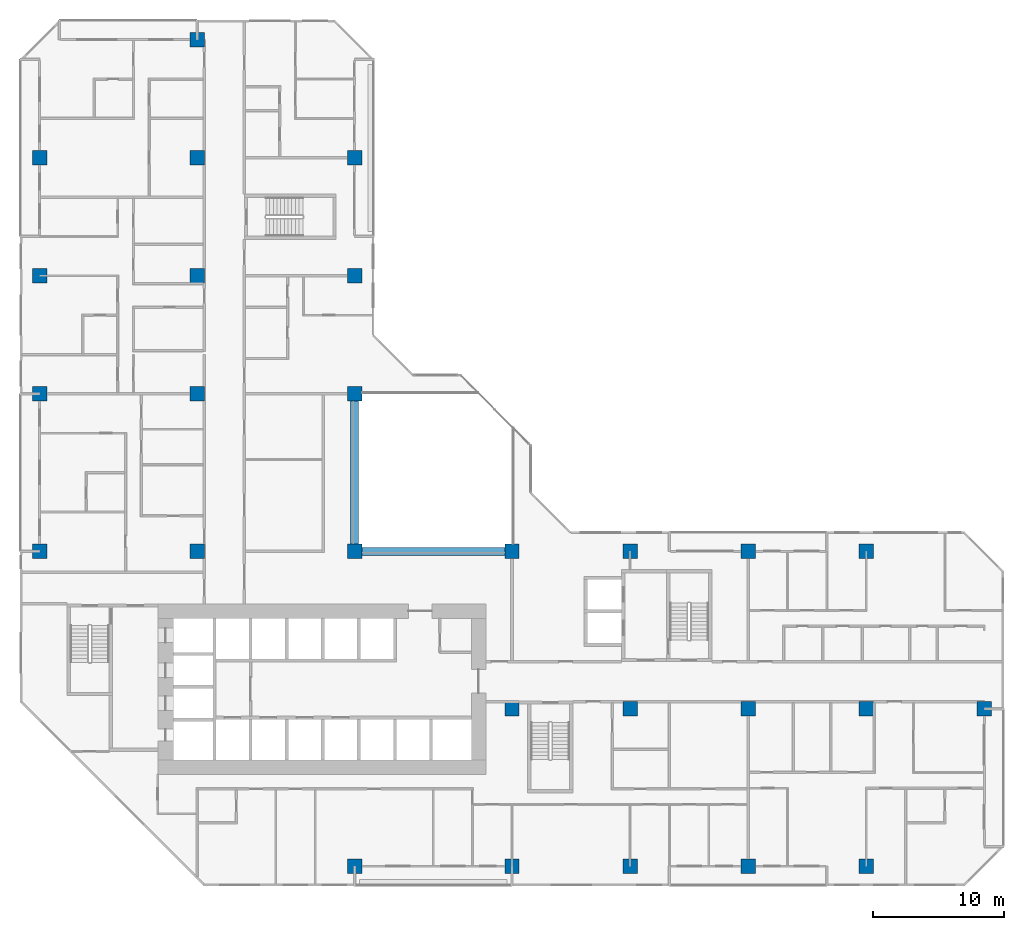
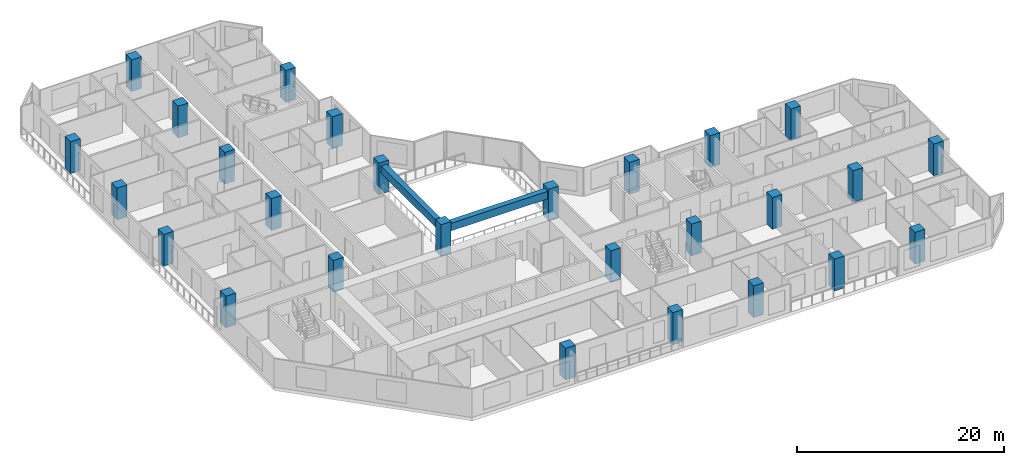
# One storey, part 1 of 15: 27 columns, 2 beams.
"""IFC4 building model written with IfcOpenShell, lengths in metres."""

from ifc_helpers import new_model, si_unit, direction, frame, origin, origin_2d, place, context, subcontext, project, spatial, rectangle, extrude, material, material_profile, profile_set, type_object, element, save


model = new_model("IFC4")

# Units and contexts
model_context = context("Model", 3, precision=1e-05, world=origin(), true_north=direction((0.0, 1.0)))
body_context = subcontext(model_context, "Body", "Model", "MODEL_VIEW")
ifc_project = project(units=[si_unit("LENGTHUNIT", "METRE"), si_unit("AREAUNIT", "SQUARE_METRE"), si_unit("VOLUMEUNIT", "CUBIC_METRE"), si_unit("PLANEANGLEUNIT", "RADIAN"), si_unit("MASSUNIT", "GRAM", prefix="KILO")], contexts=[model_context])

# Site, building, storey
site_placement = place(None, origin())
site = spatial("IfcSite", under=ifc_project, at=site_placement, CompositionType="ELEMENT")
building_placement = place(site_placement, origin())
building = spatial("IfcBuilding", under=site, at=building_placement, Name="Chenar Terraces", CompositionType="ELEMENT")
storey_placement = place(building_placement, frame((0.0, 0.0, 52.64990234375)))
storey = spatial("IfcBuildingStorey", under=building, at=storey_placement, Name="L10", CompositionType="ELEMENT", Elevation=52.64990234375)

# Columns
ifc_material_1 = material(Name="Concrete C70/85", Category="concrete")
ifc_material_profile_1 = material_profile(ifc_material_1, rectangle(XDim=1.10009765625, YDim=1.10009765625, at=origin_2d()), Name="C 1100 x 1100")
ifc_profile_set_1 = profile_set([ifc_material_profile_1], Name="Concrete C70/85")
column_type = type_object("IfcColumnType", Name="Column C 1100 x 1100 Concrete C70/85", PredefinedType="COLUMN", material=ifc_profile_set_1)
column_1_placement = place(storey_placement, frame((0.0, 24.0, 0.0), z_axis=(0.0, 0.0, 1.0), x_axis=(1.0, 0.0, 0.0)))
element("IfcColumn", 1, at=column_1_placement, inside=storey, type_object=column_type, Name="Column 5/G L10", PredefinedType="COLUMN", context=body_context, shape_type="SweptSolid", body=[
    extrude(rectangle(XDim=1.10009765625, YDim=1.10009765625, at=origin_2d()), origin(), (0.0, 0.0, 1.0), 3.75),
])
column_2_placement = place(storey_placement, frame((0.0, 36.0, 0.0), z_axis=(0.0, 0.0, 1.0), x_axis=(1.0, 0.0, 0.0)))
element("IfcColumn", 2, at=column_2_placement, inside=storey, type_object=column_type, Name="Column 5/H L10", PredefinedType="COLUMN", context=body_context, shape_type="SweptSolid", body=[
    extrude(rectangle(XDim=1.10009765625, YDim=1.10009765625, at=origin_2d()), origin(), (0.0, 0.0, 1.0), 3.75),
])
column_3_placement = place(storey_placement, frame((0.0, 45.0, 0.0), z_axis=(0.0, 0.0, 1.0), x_axis=(1.0, 0.0, 0.0)))
element("IfcColumn", 3, at=column_3_placement, inside=storey, type_object=column_type, Name="Column 5/J L10", PredefinedType="COLUMN", context=body_context, shape_type="SweptSolid", body=[
    extrude(rectangle(XDim=1.10009765625, YDim=1.10009765625, at=origin_2d()), origin(), (0.0, 0.0, 1.0), 3.75),
])
for number, where, z_axis, x_axis, name in (
    (4, (0.0, 54.0, 0.0), (0.0, 0.0, 1.0), (1.0, 0.0, 0.0), "Column 5/K L10"),
    (5, (12.0, 24.0, 0.0), (0.0, 0.0, 1.0), (1.0, 0.0, 0.0), "Column 6/G L10"),
    (6, (12.0, 36.0, 0.0), (0.0, 0.0, 1.0), (1.0, 0.0, 0.0), "Column 6/H L10"),
    (7, (12.0, 45.0, 0.0), (0.0, 0.0, 1.0), (1.0, 0.0, 0.0), "Column 6/J L10"),
    (8, (12.0, 54.0, 0.0), (0.0, 0.0, 1.0), (1.0, 0.0, 0.0), "Column 6/K L10"),
    (9, (12.0, 63.0, 0.0), (0.0, 0.0, 1.0), (1.0, 0.0, 0.0), "Column 6/L L10"),
    (10, (24.0, 0.0, 0.0), (0.0, 0.0, 1.0), (1.0, 0.0, 0.0), "Column 7/E L10"),
    (11, (24.0, 24.0, 0.0), (0.0, 0.0, 1.0), (1.0, 0.0, 0.0), "Column 7/G L10"),
    (12, (24.0, 36.0, 0.0), (0.0, 0.0, 1.0), (1.0, 0.0, 0.0), "Column 7/H L10"),
    (13, (24.0, 45.0, 0.0), (0.0, 0.0, 1.0), (1.0, 0.0, 0.0), "Column 7/J L10"),
    (14, (24.0, 54.0, 0.0), (0.0, 0.0, 1.0), (1.0, 0.0, 0.0), "Column 7/K L10"),
    (15, (36.0, 0.0, 0.0), (0.0, 0.0, 1.0), (1.0, 0.0, 0.0), "Column 8/E L10"),
    (16, (36.0, 12.0, 0.0), (0.0, 0.0, 1.0), (1.0, 0.0, 0.0), "Column 8/F L10"),
    (17, (36.0, 24.0, 0.0), (0.0, 0.0, 1.0), (1.0, 0.0, 0.0), "Column 8/G L10"),
    (18, (45.0, 0.0, 0.0), (0.0, 0.0, 1.0), (1.0, 0.0, 0.0), "Column 9/E L10"),
    (19, (45.0, 12.0, 0.0), (0.0, 0.0, 1.0), (1.0, 0.0, 0.0), "Column 9/F L10"),
    (20, (45.0, 24.0, 0.0), (0.0, 0.0, 1.0), (1.0, 0.0, 0.0), "Column 9/G L10"),
    (21, (54.0, 0.0, 0.0), (0.0, 0.0, 1.0), (1.0, 0.0, 0.0), "Column 10/E L10"),
    (22, (54.0, 12.0, 0.0), (0.0, 0.0, 1.0), (1.0, 0.0, 0.0), "Column 10/F L10"),
    (23, (54.0, 24.0, 0.0), (0.0, 0.0, 1.0), (1.0, 0.0, 0.0), "Column 10/G L10"),
    (24, (63.0, 0.0, 0.0), (0.0, 0.0, 1.0), (1.0, 0.0, 0.0), "Column 11/E L10"),
    (25, (63.0, 12.0, 0.0), (0.0, 0.0, 1.0), (1.0, 0.0, 0.0), "Column 11/F L10"),
    (26, (63.0, 24.0, 0.0), (0.0, 0.0, 1.0), (1.0, 0.0, 0.0), "Column 11/G L10"),
    (27, (72.0, 12.0, 0.0), (0.0, 0.0, 1.0), (1.0, 0.0, 0.0), "Column 12/F L10"),
):
    element("IfcColumn", number, at=place(storey_placement, frame(where, z_axis=z_axis, x_axis=x_axis)), inside=storey, type_object=column_type, Name=name, PredefinedType="COLUMN", context=body_context, shape_type="SweptSolid", body=[
        extrude(rectangle(XDim=1.10009765625, YDim=1.10009765625, at=origin_2d()), origin(), (0.0, 0.0, 1.0), 3.75),
    ])

# Beams
ifc_material_2 = material(Name="Concrete C40/50", Category="concrete")
ifc_material_profile_2 = material_profile(ifc_material_2, rectangle(XDim=0.60009765625, YDim=0.89990234375, at=origin_2d()), Name="RC 600 x 900")
ifc_profile_set_2 = profile_set([ifc_material_profile_2], Name="Concrete C40/50")
beam_type = type_object("IfcBeamType", Name="Atrium edge beam 600 x 900 Concrete C40/50", PredefinedType="BEAM", material=ifc_profile_set_2)
for number, where, z_axis, x_axis, name in (
    (28, (24.550048828125, 24.0, 2.900146484375), (1.0, 0.0, 0.0), (0.0, 1.0, 0.0), "Atrium edge beam L11 1"),
    (29, (24.0, 35.449951171875, 2.900146484375), (0.0, -1.0, 0.0), (1.0, 0.0, 0.0), "Atrium edge beam L11 4"),
):
    element("IfcBeam", number, at=place(storey_placement, frame(where, z_axis=z_axis, x_axis=x_axis)), inside=storey, type_object=beam_type, Name=name, PredefinedType="BEAM", context=body_context, shape_type="SweptSolid", body=[
        extrude(rectangle(XDim=0.60009765625, YDim=0.89990234375, at=origin_2d()), origin(), (0.0, 0.0, 1.0), 10.89990234375),
    ])

save(model, "model.ifc")
